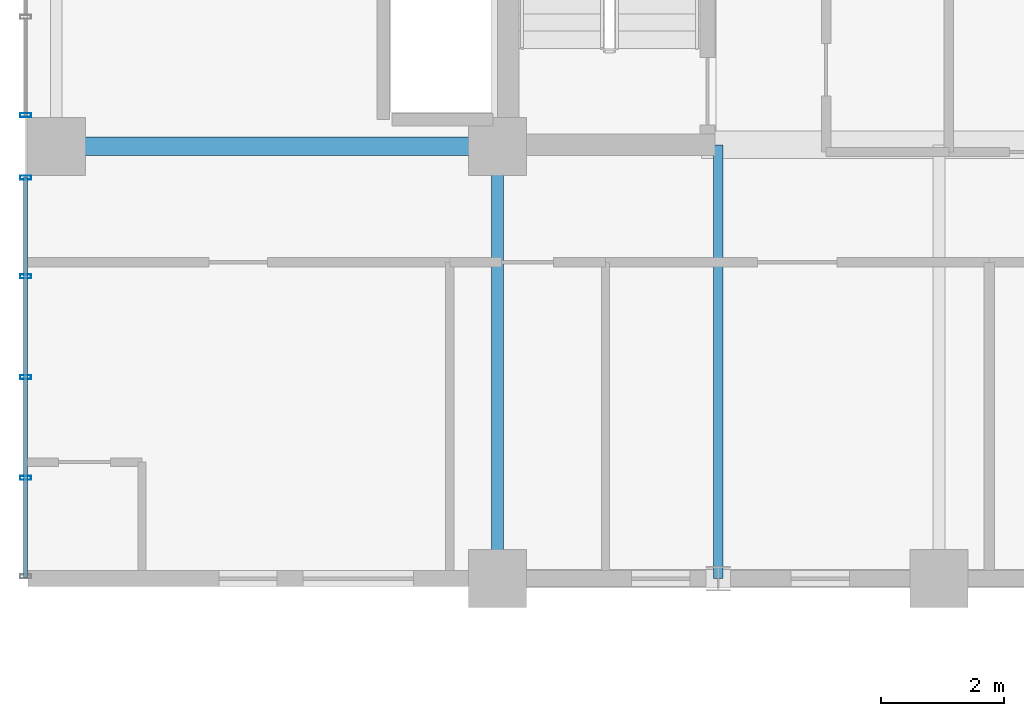
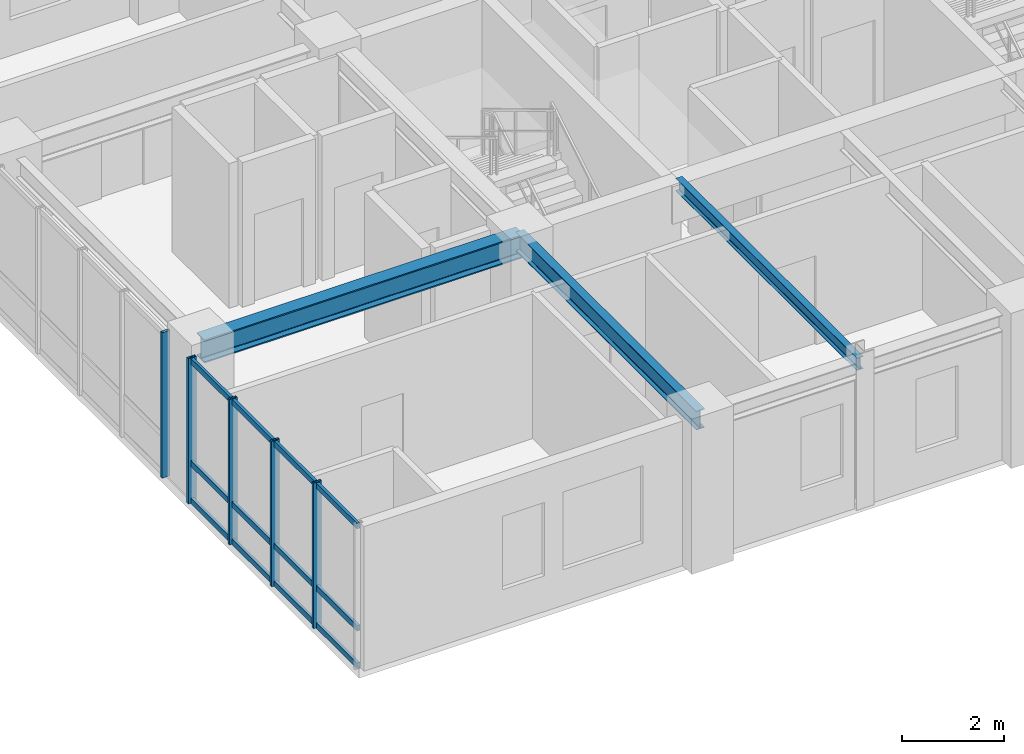
# One storey, part 6 of 20: 8 members, 3 beams, 2 elements without a shape of their own.
"""IFC4 building model written with IfcOpenShell, lengths in metres."""

from ifc_helpers import new_model, si_unit, direction, frame, origin, origin_2d, place, context, subcontext, project, spatial, hollow_rectangle, i_section, extrude, source, transform, mapped, material, layer, layer_set, material_profile, profile_set, type_object, element, aggregate, save


model = new_model("IFC4")

# Units and contexts
model_context = context("Model", 3, precision=1e-05, world=origin(), true_north=direction((0.0, 1.0)))
body_context = subcontext(model_context, "Body", "Model", "MODEL_VIEW")
ifc_project = project(units=[si_unit("LENGTHUNIT", "METRE"), si_unit("AREAUNIT", "SQUARE_METRE"), si_unit("VOLUMEUNIT", "CUBIC_METRE"), si_unit("PLANEANGLEUNIT", "RADIAN"), si_unit("MASSUNIT", "GRAM", prefix="KILO")], contexts=[model_context])

# Site, building, storey
site_placement = place(None, origin())
site = spatial("IfcSite", under=ifc_project, at=site_placement, CompositionType="ELEMENT")
building_placement = place(site_placement, origin())
building = spatial("IfcBuilding", under=site, at=building_placement, Name="Kaliganga Portal Commons", CompositionType="ELEMENT")
storey_placement = place(building_placement, frame((0.0, 0.0, 216.60009765625)))
storey = spatial("IfcBuildingStorey", under=building, at=storey_placement, Name="L55", CompositionType="ELEMENT", Elevation=216.60009765625)

# Beams
ifc_material_1 = material(Name="Structural steel S355J2", Category="steel")
ifc_material_profile_1 = material_profile(ifc_material_1, i_section(OverallWidth=0.18994140625, OverallDepth=0.449951171875, WebThickness=0.009521484375, FlangeThickness=0.0146484375, FilletRadius=0.02099609375, at=origin_2d()), Name="IPE 450")
ifc_profile_set_1 = profile_set([ifc_material_profile_1], Name="Structural steel S355J2 wide-flange")
beam_type_1 = type_object("IfcBeamType", Name="BM-FLR-450", PredefinedType="BEAM", material=ifc_profile_set_1)
shared_shape_1 = source(origin(), body_context, "Body", "SweptSolid", [
    extrude(i_section(OverallWidth=0.18994140625, OverallDepth=0.449951171875, WebThickness=0.009521484375, FlangeThickness=0.0146484375, FilletRadius=0.02099609375, at=origin_2d()), origin(), (0.0, 0.0, 1.0), 7.0498046875),
])
beam_1_placement = place(storey_placement, frame((14.39990234375, 21.60009765625, 3.244873046875), z_axis=(0.0, 1.0, 0.0), x_axis=(-1.0, 0.0, 0.0)))
element("IfcBeam", 1, at=beam_1_placement, inside=storey, type_object=beam_type_1, Name="BM G L55 AS144", PredefinedType="BEAM", context=body_context, shape_type="MappedRepresentation", body=[
    mapped(shared_shape_1, transform((0.0, 0.0, 0.0), x_axis=(1.0, 0.0, 0.0), y_axis=(0.0, 1.0, 0.0), z_axis=(0.0, 0.0, 1.0), scale=1.0)),
])
ifc_material_profile_2 = material_profile(ifc_material_1, i_section(OverallWidth=0.300048828125, OverallDepth=0.550048828125, WebThickness=0.014892578125, FlangeThickness=0.029052734375, FilletRadius=0.027099609375, at=origin_2d()), Name="HE 550 B")
ifc_profile_set_2 = profile_set([ifc_material_profile_2], Name="Structural steel S355J2 wide-flange")
beam_type_2 = type_object("IfcBeamType", Name="BM-GIRD-550", PredefinedType="USERDEFINED", material=ifc_profile_set_2)
shared_shape_2 = source(origin(), body_context, "Body", "SweptSolid", [
    extrude(i_section(OverallWidth=0.300048828125, OverallDepth=0.550048828125, WebThickness=0.014892578125, FlangeThickness=0.029052734375, FilletRadius=0.027099609375, at=origin_2d()), origin(), (0.0, 0.0, 1.0), 7.199951171875),
])
beam_2_placement = place(storey_placement, frame((7.199951171875, 28.64990234375, 3.19482421875), z_axis=(1.0, 0.0, 0.0), x_axis=(0.0, 1.0, 0.0)))
element("IfcBeam", 2, at=beam_2_placement, inside=storey, type_object=beam_type_2, Name="BM G L55 WAH_S 1", ObjectType="GIRDER", PredefinedType="USERDEFINED", context=body_context, shape_type="MappedRepresentation", body=[
    mapped(shared_shape_2, transform((0.0, 0.0, 0.0), x_axis=(1.0, 0.0, 0.0), y_axis=(0.0, 1.0, 0.0), z_axis=(0.0, 0.0, 1.0), scale=1.0)),
])
ifc_material_profile_3 = material_profile(ifc_material_1, i_section(OverallWidth=0.14990234375, OverallDepth=0.300048828125, WebThickness=0.007080078125, FlangeThickness=0.0107421875, FilletRadius=0.014892578125, at=origin_2d()), Name="IPE 300")
ifc_profile_set_3 = profile_set([ifc_material_profile_3], Name="Structural steel S355J2 wide-flange")
beam_type_3 = type_object("IfcBeamType", Name="BM-JST-300", PredefinedType="JOIST", material=ifc_profile_set_3)
shared_shape_3 = source(origin(), body_context, "Body", "SweptSolid", [
    extrude(i_section(OverallWidth=0.14990234375, OverallDepth=0.300048828125, WebThickness=0.007080078125, FlangeThickness=0.0107421875, FilletRadius=0.014892578125, at=origin_2d()), origin(), (0.0, 0.0, 1.0), 7.074951171875),
])
beam_3_placement = place(storey_placement, frame((18.0, 21.60009765625, 3.31982421875), z_axis=(0.0, 1.0, 0.0), x_axis=(-1.0, 0.0, 0.0)))
element("IfcBeam", 3, at=beam_3_placement, inside=storey, type_object=beam_type_3, Name="BM G L55 AS180", PredefinedType="JOIST", context=body_context, shape_type="MappedRepresentation", body=[
    mapped(shared_shape_3, transform((0.0, 0.0, 0.0), x_axis=(1.0, 0.0, 0.0), y_axis=(0.0, 1.0, 0.0), z_axis=(0.0, 0.0, 1.0), scale=1.0)),
])

# Curtain wall, member
ifc_material_2 = material(Name="Anodized Aluminium and Laminated Low-E Glass", Category="aluminium")
ifc_layer = layer(ifc_material_2, 0.199951171875)
ifc_layer_set = layer_set([ifc_layer], Name="Anodized Aluminium and Laminated Low-E Glass")
curtain_wall_type = type_object("IfcCurtainWallType", Name="CW-SYS-02", PredefinedType="NOTDEFINED", material=ifc_layer_set)
curtain_wall_1_placement = place(storey_placement, origin())
curtain_wall_1 = element("IfcCurtainWall", 4, at=curtain_wall_1_placement, inside=storey, type_object=curtain_wall_type, Name="CW 02 L55 P1E03S2", PredefinedType="NOTDEFINED")
ifc_material_3 = material(Name="Dark Bronze Anodized Aluminium", Category="aluminium")
ifc_material_profile_4 = material_profile(ifc_material_3, hollow_rectangle(XDim=0.06494140625, YDim=0.179931640625, WallThickness=0.00390625, at=origin_2d()), Name="ALU MULL 65x180x4")
ifc_profile_set_4 = profile_set([ifc_material_profile_4], Name="Dark Bronze Anodized Aluminium")
member_type_1 = type_object("IfcMemberType", Name="CW-MUL-180", PredefinedType="MULLION", material=ifc_profile_set_4)
shared_shape_4 = source(origin(), body_context, "Body", "SweptSolid", [
    extrude(hollow_rectangle(XDim=0.06494140625, YDim=0.179931640625, WallThickness=0.00390625, at=origin_2d()), origin(), (0.0, 0.0, 1.0), 3.469970703125),
])
member_1_placement = place(storey_placement, frame((6.699951171875, 29.160888671875, 0.0), z_axis=(0.0, 0.0, 1.0), x_axis=(0.0, -1.0, 0.0)))
member_1 = element("IfcMember", 5, at=member_1_placement, type_object=member_type_1, Name="CW:02:L55:P1E03S2 Mullion 04", PredefinedType="MULLION", context=body_context, shape_type="MappedRepresentation", body=[
    mapped(shared_shape_4, transform((0.0, 0.0, 0.0), x_axis=(1.0, 0.0, 0.0), y_axis=(0.0, 1.0, 0.0), z_axis=(0.0, 0.0, 1.0), scale=1.0)),
])
aggregate(curtain_wall_1, [member_1])

# Curtain wall, members
curtain_wall_2_placement = place(storey_placement, origin())
curtain_wall_2 = element("IfcCurtainWall", 6, at=curtain_wall_2_placement, inside=storey, type_object=curtain_wall_type, Name="CW 02 L55 P1E03S3", PredefinedType="NOTDEFINED")
member_2_placement = place(storey_placement, frame((6.699951171875, 28.138916015625, 0.0), z_axis=(0.0, 0.0, 1.0), x_axis=(0.0, -1.0, 0.0)))
member_2 = element("IfcMember", 7, at=member_2_placement, type_object=member_type_1, Name="CW:02:L55:P1E03S3 Mullion 00", PredefinedType="MULLION", context=body_context, shape_type="MappedRepresentation", body=[
    mapped(shared_shape_4, transform((0.0, 0.0, 0.0), x_axis=(1.0, 0.0, 0.0), y_axis=(0.0, 1.0, 0.0), z_axis=(0.0, 0.0, 1.0), scale=1.0)),
])
member_3_placement = place(storey_placement, frame((6.699951171875, 26.530517578125, 0.0), z_axis=(0.0, 0.0, 1.0), x_axis=(0.0, -1.0, 0.0)))
member_3 = element("IfcMember", 8, at=member_3_placement, type_object=member_type_1, Name="CW:02:L55:P1E03S3 Mullion 01", PredefinedType="MULLION", context=body_context, shape_type="MappedRepresentation", body=[
    mapped(shared_shape_4, transform((0.0, 0.0, 0.0), x_axis=(1.0, 0.0, 0.0), y_axis=(0.0, 1.0, 0.0), z_axis=(0.0, 0.0, 1.0), scale=1.0)),
])
member_4_placement = place(storey_placement, frame((6.699951171875, 24.886962890625, 0.0), z_axis=(0.0, 0.0, 1.0), x_axis=(0.0, -1.0, 0.0)))
member_4 = element("IfcMember", 9, at=member_4_placement, type_object=member_type_1, Name="CW:02:L55:P1E03S3 Mullion 02", PredefinedType="MULLION", context=body_context, shape_type="MappedRepresentation", body=[
    mapped(shared_shape_4, transform((0.0, 0.0, 0.0), x_axis=(1.0, 0.0, 0.0), y_axis=(0.0, 1.0, 0.0), z_axis=(0.0, 0.0, 1.0), scale=1.0)),
])
member_5_placement = place(storey_placement, frame((6.699951171875, 23.243408203125, 0.0), z_axis=(0.0, 0.0, 1.0), x_axis=(0.0, -1.0, 0.0)))
member_5 = element("IfcMember", 10, at=member_5_placement, type_object=member_type_1, Name="CW:02:L55:P1E03S3 Mullion 03", PredefinedType="MULLION", context=body_context, shape_type="MappedRepresentation", body=[
    mapped(shared_shape_4, transform((0.0, 0.0, 0.0), x_axis=(1.0, 0.0, 0.0), y_axis=(0.0, 1.0, 0.0), z_axis=(0.0, 0.0, 1.0), scale=1.0)),
])
ifc_material_profile_5 = material_profile(ifc_material_3, hollow_rectangle(XDim=0.06494140625, YDim=0.135009765625, WallThickness=0.00341796875, at=origin_2d()), Name="ALU TRAN 65x135x3.5")
ifc_profile_set_5 = profile_set([ifc_material_profile_5], Name="Dark Bronze Anodized Aluminium")
member_type_2 = type_object("IfcMemberType", Name="CW-TRN-135", PredefinedType="USERDEFINED", material=ifc_profile_set_5)
shared_shape_5 = source(origin(), body_context, "Body", "SweptSolid", [
    extrude(hollow_rectangle(XDim=0.06494140625, YDim=0.135009765625, WallThickness=0.00341796875, at=origin_2d()), origin(), (0.0, 0.0, 1.0), 6.533935546875),
])
member_6_placement = place(storey_placement, frame((6.699951171875, 28.154052734375, 0.059814453125), z_axis=(0.0, -1.0, 0.0), x_axis=(1.0, 0.0, 0.0)))
member_6 = element("IfcMember", 11, at=member_6_placement, type_object=member_type_2, Name="CW:02:L55:P1E03S3 Transom 1", ObjectType="TRANSOM", PredefinedType="USERDEFINED", context=body_context, shape_type="MappedRepresentation", body=[
    mapped(shared_shape_5, transform((0.0, 0.0, 0.0), x_axis=(1.0, 0.0, 0.0), y_axis=(0.0, 1.0, 0.0), z_axis=(0.0, 0.0, 1.0), scale=1.0)),
])
member_7_placement = place(storey_placement, frame((6.699951171875, 28.154052734375, 0.949951171875), z_axis=(0.0, -1.0, 0.0), x_axis=(1.0, 0.0, 0.0)))
member_7 = element("IfcMember", 12, at=member_7_placement, type_object=member_type_2, Name="CW:02:L55:P1E03S3 Transom 2", ObjectType="TRANSOM", PredefinedType="USERDEFINED", context=body_context, shape_type="MappedRepresentation", body=[
    mapped(shared_shape_5, transform((0.0, 0.0, 0.0), x_axis=(1.0, 0.0, 0.0), y_axis=(0.0, 1.0, 0.0), z_axis=(0.0, 0.0, 1.0), scale=1.0)),
])
member_8_placement = place(storey_placement, frame((6.699951171875, 28.154052734375, 3.389892578125), z_axis=(0.0, -1.0, 0.0), x_axis=(1.0, 0.0, 0.0)))
member_8 = element("IfcMember", 13, at=member_8_placement, type_object=member_type_2, Name="CW:02:L55:P1E03S3 Transom 3", ObjectType="TRANSOM", PredefinedType="USERDEFINED", context=body_context, shape_type="MappedRepresentation", body=[
    mapped(shared_shape_5, transform((0.0, 0.0, 0.0), x_axis=(1.0, 0.0, 0.0), y_axis=(0.0, 1.0, 0.0), z_axis=(0.0, 0.0, 1.0), scale=1.0)),
])
aggregate(curtain_wall_2, [member_2, member_3, member_4, member_5, member_6, member_7, member_8])

save(model, "model.ifc")
